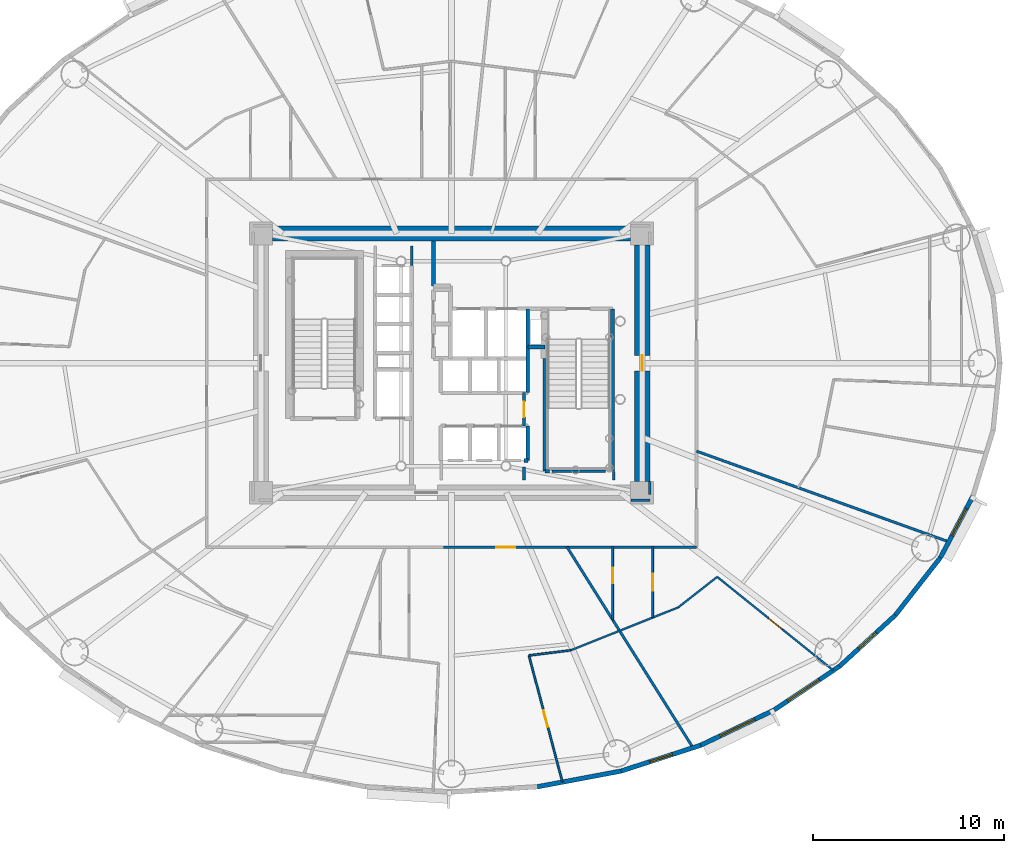
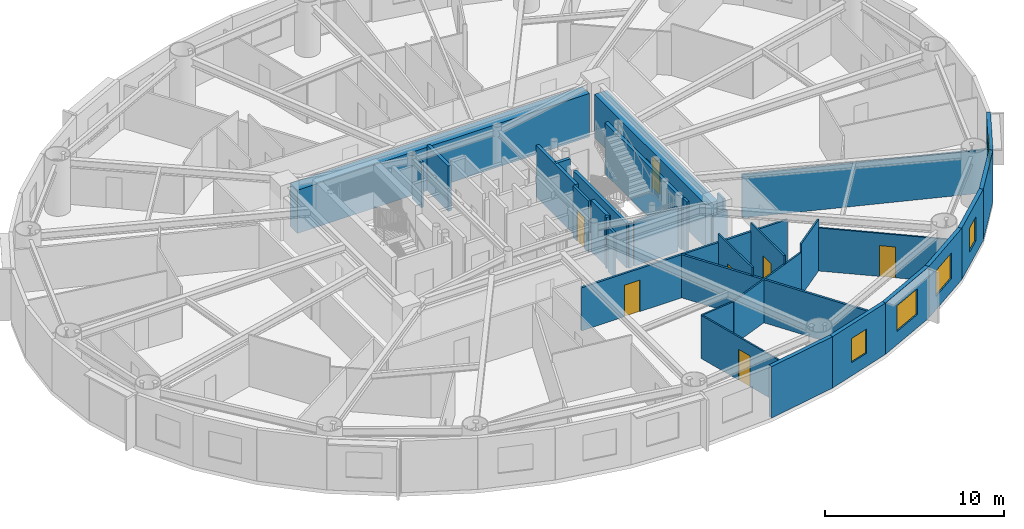
# One storey, part 10 of 18: 34 walls, 7 doors, 5 windows, 12 openings.
"""IFC4 building model written with IfcOpenShell, lengths in metres."""

from ifc_helpers import new_model, si_unit, direction, frame, frame_2d, origin, origin_2d, place, context, subcontext, project, spatial, rectangle, extrude, source, transform, mapped, material, layer, layer_set, type_object, element, fill, save


model = new_model("IFC4")

# Units and contexts
model_context = context("Model", 3, precision=1e-05, world=origin(), true_north=direction((0.0, 1.0)))
body_context = subcontext(model_context, "Body", "Model", "MODEL_VIEW")
ifc_project = project(units=[si_unit("LENGTHUNIT", "METRE"), si_unit("AREAUNIT", "SQUARE_METRE"), si_unit("VOLUMEUNIT", "CUBIC_METRE"), si_unit("PLANEANGLEUNIT", "RADIAN"), si_unit("MASSUNIT", "GRAM", prefix="KILO")], contexts=[model_context])

# Site, building, storey
site_placement = place(None, origin())
site = spatial("IfcSite", under=ifc_project, at=site_placement, CompositionType="ELEMENT")
building_placement = place(site_placement, origin())
building = spatial("IfcBuilding", under=site, at=building_placement, Name="Linh Dai School and Residence Tower", CompositionType="ELEMENT")
storey_placement = place(building_placement, frame((0.0, 0.0, 123.449951171875)))
storey = spatial("IfcBuildingStorey", under=building, at=storey_placement, Name="L29", CompositionType="ELEMENT", Elevation=123.449951171875)

# Wall
ifc_material_1 = material(Name="Precast Concrete B45 (C35/45)", Category="concrete")
ifc_layer_1 = layer(ifc_material_1, 0.239990234375)
ifc_layer_set_1 = layer_set([ifc_layer_1], Name="Precast Concrete B45 (C35/45)")
wall_type_1 = type_object("IfcWallType", Name="EW-TC-240", PredefinedType="SOLIDWALL", material=ifc_layer_set_1)
wall_1_placement = place(storey_placement, frame((44.899658203125, 5.5986328125, 0.0), z_axis=(0.0, 0.0, 1.0), x_axis=(-0.982789252177, -0.184730305596, 0.0)))
element("IfcWall", 1, at=wall_1_placement, inside=storey, type_object=wall_type_1, Name="L29 Terracotta Exterior Wall 32", PredefinedType="SOLIDWALL", context=body_context, shape_type="SweptSolid", body=[
    extrude(rectangle(XDim=4.470947265625, YDim=0.239990234375, at=frame_2d((2.2353515625, 0.0))), origin(), (0.0, 0.0, 1.0), 3.5),
])

# Wall, opening, window
wall_2_placement = place(storey_placement, frame((49.073974609375, 6.95263671875, 0.0), z_axis=(0.0, 0.0, 1.0), x_axis=(-0.951211346073, -0.308540070495, 0.0)))
wall_2 = element("IfcWall", 2, at=wall_2_placement, inside=storey, type_object=wall_type_1, Name="L29 Terracotta Exterior Wall 33", PredefinedType="SOLIDWALL", context=body_context, shape_type="SweptSolid", body=[
    extrude(rectangle(XDim=4.388427734375, YDim=0.239990234375, at=frame_2d((2.1943359375, 0.0))), origin(), (0.0, 0.0, 1.0), 3.5),
])
opening_1_placement = place(wall_2_placement, frame((1.569091796875, 0.0, 0.89990234375)))
opening_1 = element("IfcOpeningElement", 3, at=opening_1_placement, cuts=wall_2, Name="Opening W3", PredefinedType="OPENING", context=body_context, shape_type="SweptSolid", body=[
    extrude(rectangle(XDim=1.25, YDim=1.64990234375, at=origin_2d()), frame((0.625, 0.1298828125, 0.824951171875), z_axis=(0.0, -1.0, 0.0), x_axis=(1.0, 0.0, 0.0)), (0.0, 0.0, 1.0), 0.260009765625),
])
ifc_material_2 = material(Name="Double Low-E Insulated Glazing", Category="glass")
window_type_1 = type_object("IfcWindowType", Name="WN-RES-1250x1650", PartitioningType="SINGLE_PANEL", PredefinedType="WINDOW", material=ifc_material_2)
shared_shape_1 = source(origin(), body_context, "Body", "SweptSolid", [
    extrude(rectangle(XDim=1.25, YDim=1.64990234375, at=origin_2d()), frame((0.625, 0.030029296875, 0.824951171875), z_axis=(0.0, -1.0, 0.0), x_axis=(1.0, 0.0, 0.0)), (0.0, 0.0, 1.0), 0.06005859375),
])
window_1_placement = place(opening_1_placement, origin())
window_1 = element("IfcWindow", 4, at=window_1_placement, inside=storey, type_object=window_type_1, Name="L29 Dwelling Window U2905-BD2", OverallHeight=1.64990234375, OverallWidth=1.25, PartitioningType="SINGLE_PANEL", PredefinedType="WINDOW", context=body_context, shape_type="MappedRepresentation", body=[
    mapped(shared_shape_1, transform((0.0, 0.0, 0.0), x_axis=(1.0, 0.0, 0.0), y_axis=(0.0, 1.0, 0.0), z_axis=(0.0, 0.0, 1.0), scale=1.0)),
])
fill(opening_1, window_1)

wall_3_placement = place(storey_placement, frame((52.92529296875, 8.800537109375, 0.0), z_axis=(0.0, 0.0, 1.0), x_axis=(-0.901589935876, -0.432591709962, 0.0)))
wall_3 = element("IfcWall", 5, at=wall_3_placement, inside=storey, type_object=wall_type_1, Name="L29 Terracotta Exterior Wall 34", PredefinedType="SOLIDWALL", context=body_context, shape_type="SweptSolid", body=[
    extrude(rectangle(XDim=4.271728515625, YDim=0.239990234375, at=frame_2d((2.1357421875, 0.0))), origin(), (0.0, 0.0, 1.0), 3.5),
])
opening_2_placement = place(wall_3_placement, frame((1.135986328125, 0.0, 0.89990234375)))
opening_2 = element("IfcOpeningElement", 6, at=opening_2_placement, cuts=wall_3, Name="Opening W1", PredefinedType="OPENING", context=body_context, shape_type="SweptSolid", body=[
    extrude(rectangle(XDim=2.0, YDim=1.75, at=origin_2d()), frame((1.0, 0.1298828125, 0.875), z_axis=(0.0, -1.0, 0.0), x_axis=(1.0, 0.0, 0.0)), (0.0, 0.0, 1.0), 0.260009765625),
])
window_type_2 = type_object("IfcWindowType", Name="WN-RES-2000x1750", PartitioningType="DOUBLE_PANEL_VERTICAL", PredefinedType="WINDOW", material=ifc_material_2)
shared_shape_2 = source(origin(), body_context, "Body", "SweptSolid", [
    extrude(rectangle(XDim=2.0, YDim=1.75, at=origin_2d()), frame((1.0, 0.030029296875, 0.875), z_axis=(0.0, -1.0, 0.0), x_axis=(1.0, 0.0, 0.0)), (0.0, 0.0, 1.0), 0.06005859375),
])
window_2_placement = place(opening_2_placement, origin())
window_2 = element("IfcWindow", 7, at=window_2_placement, inside=storey, type_object=window_type_2, Name="L29 Exterior Window 34.1", OverallHeight=1.75, OverallWidth=2.0, PartitioningType="DOUBLE_PANEL_VERTICAL", PredefinedType="WINDOW", context=body_context, shape_type="MappedRepresentation", body=[
    mapped(shared_shape_2, transform((0.0, 0.0, 0.0), x_axis=(1.0, 0.0, 0.0), y_axis=(0.0, 1.0, 0.0), z_axis=(0.0, 0.0, 1.0), scale=1.0)),
])
fill(opening_2, window_2)

wall_4_placement = place(storey_placement, frame((56.3583984375, 11.0966796875, 0.0), z_axis=(0.0, 0.0, 1.0), x_axis=(-0.831221811447, -0.555940914284, 0.0)))
wall_4 = element("IfcWall", 8, at=wall_4_placement, inside=storey, type_object=wall_type_1, Name="L29 Terracotta Exterior Wall 35", PredefinedType="SOLIDWALL", context=body_context, shape_type="SweptSolid", body=[
    extrude(rectangle(XDim=4.130126953125, YDim=0.239990234375, at=frame_2d((2.06494140625, 0.0))), origin(), (0.0, 0.0, 1.0), 3.5),
])
opening_3_placement = place(wall_4_placement, frame((1.275634765625, 0.0, 0.89990234375)))
opening_3 = element("IfcOpeningElement", 9, at=opening_3_placement, cuts=wall_4, Name="Opening W1", PredefinedType="OPENING", context=body_context, shape_type="SweptSolid", body=[
    extrude(rectangle(XDim=2.0, YDim=1.75, at=origin_2d()), frame((1.0, 0.1298828125, 0.875), z_axis=(0.0, -1.0, 0.0), x_axis=(1.0, 0.0, 0.0)), (0.0, 0.0, 1.0), 0.260009765625),
])
window_3_placement = place(opening_3_placement, origin())
window_3 = element("IfcWindow", 10, at=window_3_placement, inside=storey, type_object=window_type_2, Name="L29 Exterior Window 35.1", OverallHeight=1.75, OverallWidth=2.0, PartitioningType="DOUBLE_PANEL_VERTICAL", PredefinedType="WINDOW", context=body_context, shape_type="MappedRepresentation", body=[
    mapped(shared_shape_2, transform((0.0, 0.0, 0.0), x_axis=(1.0, 0.0, 0.0), y_axis=(0.0, 1.0, 0.0), z_axis=(0.0, 0.0, 1.0), scale=1.0)),
])
fill(opening_3, window_3)

wall_5_placement = place(storey_placement, frame((59.2890625, 13.783447265625, 0.0), z_axis=(0.0, 0.0, 1.0), x_axis=(-0.737113356241, -0.675769117414, 0.0)))
wall_5 = element("IfcWall", 11, at=wall_5_placement, inside=storey, type_object=wall_type_1, Name="L29 Terracotta Exterior Wall 36", PredefinedType="SOLIDWALL", context=body_context, shape_type="SweptSolid", body=[
    extrude(rectangle(XDim=3.975830078125, YDim=0.239990234375, at=frame_2d((1.98779296875, 0.0))), origin(), (0.0, 0.0, 1.0), 3.5),
])
opening_4_placement = place(wall_5_placement, frame((1.363037109375, 0.0, 0.89990234375)))
opening_4 = element("IfcOpeningElement", 12, at=opening_4_placement, cuts=wall_5, Name="Opening W3", PredefinedType="OPENING", context=body_context, shape_type="SweptSolid", body=[
    extrude(rectangle(XDim=1.25, YDim=1.64990234375, at=origin_2d()), frame((0.625, 0.1298828125, 0.824951171875), z_axis=(0.0, -1.0, 0.0), x_axis=(1.0, 0.0, 0.0)), (0.0, 0.0, 1.0), 0.260009765625),
])
window_4_placement = place(opening_4_placement, origin())
window_4 = element("IfcWindow", 13, at=window_4_placement, inside=storey, type_object=window_type_1, Name="L29 Dwelling Window U2906-LIV", OverallHeight=1.64990234375, OverallWidth=1.25, PartitioningType="SINGLE_PANEL", PredefinedType="WINDOW", context=body_context, shape_type="MappedRepresentation", body=[
    mapped(shared_shape_1, transform((0.0, 0.0, 0.0), x_axis=(1.0, 0.0, 0.0), y_axis=(0.0, 1.0, 0.0), z_axis=(0.0, 0.0, 1.0), scale=1.0)),
])
fill(opening_4, window_4)

# Wall
wall_6_placement = place(storey_placement, frame((61.645263671875, 16.79443359375, 0.0), z_axis=(0.0, 0.0, 1.0), x_axis=(-0.616272103517, -0.787533297345, 0.0)))
element("IfcWall", 14, at=wall_6_placement, inside=storey, type_object=wall_type_1, Name="L29 Terracotta Exterior Wall 37", PredefinedType="SOLIDWALL", context=body_context, shape_type="SweptSolid", body=[
    extrude(rectangle(XDim=3.8232421875, YDim=0.239990234375, at=frame_2d((1.91162109375, 0.0))), origin(), (0.0, 0.0, 1.0), 3.5),
])

# Wall, opening, window
wall_7_placement = place(storey_placement, frame((63.3701171875, 20.054931640625, 0.0), z_axis=(0.0, 0.0, 1.0), x_axis=(-0.467614004126, -0.883932770716, 0.0)))
wall_7 = element("IfcWall", 15, at=wall_7_placement, inside=storey, type_object=wall_type_1, Name="L29 Terracotta Exterior Wall 38", PredefinedType="SOLIDWALL", context=body_context, shape_type="SweptSolid", body=[
    extrude(rectangle(XDim=3.688720703125, YDim=0.239990234375, at=frame_2d((1.84423828125, 0.0))), origin(), (0.0, 0.0, 1.0), 3.5),
])
opening_5_placement = place(wall_7_placement, frame((0.778076171875, 0.0, 0.89990234375)))
opening_5 = element("IfcOpeningElement", 16, at=opening_5_placement, cuts=wall_7, Name="Opening W2", PredefinedType="OPENING", context=body_context, shape_type="SweptSolid", body=[
    extrude(rectangle(XDim=1.60009765625, YDim=1.75, at=origin_2d()), frame((0.800048828125, 0.1298828125, 0.875), z_axis=(0.0, -1.0, 0.0), x_axis=(1.0, 0.0, 0.0)), (0.0, 0.0, 1.0), 0.260009765625),
])
window_type_3 = type_object("IfcWindowType", Name="WN-RES-1600x1750", PartitioningType="DOUBLE_PANEL_VERTICAL", PredefinedType="WINDOW", material=ifc_material_2)
shared_shape_3 = source(origin(), body_context, "Body", "SweptSolid", [
    extrude(rectangle(XDim=1.60009765625, YDim=1.75, at=origin_2d()), frame((0.800048828125, 0.030029296875, 0.875), z_axis=(0.0, -1.0, 0.0), x_axis=(1.0, 0.0, 0.0)), (0.0, 0.0, 1.0), 0.06005859375),
])
window_5_placement = place(opening_5_placement, origin())
window_5 = element("IfcWindow", 17, at=window_5_placement, inside=storey, type_object=window_type_3, Name="L29 Exterior Window 38.1", OverallHeight=1.75, OverallWidth=1.60009765625, PartitioningType="DOUBLE_PANEL_VERTICAL", PredefinedType="WINDOW", context=body_context, shape_type="MappedRepresentation", body=[
    mapped(shared_shape_3, transform((0.0, 0.0, 0.0), x_axis=(1.0, 0.0, 0.0), y_axis=(0.0, 1.0, 0.0), z_axis=(0.0, 0.0, 1.0), scale=1.0)),
])
fill(opening_5, window_5)

# Wall, opening, door
ifc_material_3 = material(Name="Autoclaved Aerated Concrete Blockwork", Category="masonry")
ifc_layer_2 = layer(ifc_material_3, 0.135009765625)
ifc_layer_set_2 = layer_set([ifc_layer_2], Name="Autoclaved Aerated Concrete Blockwork")
wall_type_2 = type_object("IfcWallType", Name="IW-CORR-135-EI90", PredefinedType="PARTITIONING", material=ifc_layer_set_2)
wall_8_placement = place(storey_placement, frame((35.583740234375, 17.35009765625, 0.0), z_axis=(0.0, 0.0, 1.0), x_axis=(1.0, 0.0, 0.0)))
wall_8 = element("IfcWall", 18, at=wall_8_placement, inside=storey, type_object=wall_type_2, Name="L29 Interior Partition Wall 052", PredefinedType="PARTITIONING", context=body_context, shape_type="SweptSolid", body=[
    extrude(rectangle(XDim=13.266357421875, YDim=0.135009765625, at=frame_2d((6.63330078125, 0.0))), origin(), (0.0, 0.0, 1.0), 2.93505859375),
])
opening_6_placement = place(wall_8_placement, frame((2.757080078125, 0.0, 0.0)))
opening_6 = element("IfcOpeningElement", 19, at=opening_6_placement, cuts=wall_8, Name="Opening D03", PredefinedType="OPENING", context=body_context, shape_type="SweptSolid", body=[
    extrude(rectangle(XDim=1.0, YDim=2.14990234375, at=origin_2d()), frame((0.5, 0.07763671875, 1.074951171875), z_axis=(0.0, -1.0, 0.0), x_axis=(1.0, 0.0, 0.0)), (0.0, 0.0, 1.0), 0.155029296875),
])
ifc_material_4 = material(Name="Fire-Rated Solid Timber Entrance Door", Category="wood")
door_type_1 = type_object("IfcDoorType", Name="DR-FLAT-1000x2150-FD60S", OperationType="NOTDEFINED", PredefinedType="DOOR", material=ifc_material_4)
shared_shape_4 = source(origin(), body_context, "Body", "SweptSolid", [
    extrude(rectangle(XDim=1.0, YDim=2.14990234375, at=origin_2d()), frame((0.5, 0.02490234375, 1.074951171875), z_axis=(0.0, -1.0, 0.0), x_axis=(1.0, 0.0, 0.0)), (0.0, 0.0, 1.0), 0.050048828125),
])
door_1_placement = place(opening_6_placement, origin())
door_1 = element("IfcDoor", 20, at=door_1_placement, inside=storey, type_object=door_type_1, Name="L29 U2905 Apartment Entrance Door", OperationType="SINGLE_SWING_LEFT", OverallHeight=2.14990234375, OverallWidth=1.0, PredefinedType="DOOR", context=body_context, shape_type="MappedRepresentation", body=[
    mapped(shared_shape_4, transform((0.0, 0.0, 0.0), x_axis=(1.0, 0.0, 0.0), y_axis=(0.0, 1.0, 0.0), z_axis=(0.0, 0.0, 1.0), scale=1.0)),
])
fill(opening_6, door_1)

wall_9_placement = place(storey_placement, frame((39.800048828125, 23.699951171875, 0.0), z_axis=(0.0, 0.0, 1.0), x_axis=(0.0, 1.0, 0.0)))
wall_9 = element("IfcWall", 21, at=wall_9_placement, inside=storey, type_object=wall_type_2, Name="L29 Interior Partition Wall 066", PredefinedType="PARTITIONING", context=body_context, shape_type="SweptSolid", body=[
    extrude(rectangle(XDim=1.75, YDim=0.135009765625, at=frame_2d((0.875, 0.0))), origin(), (0.0, 0.0, 1.0), 3.5),
])
opening_7_placement = place(wall_9_placement, frame((0.465087890625, 0.0, 0.0)))
opening_7 = element("IfcOpeningElement", 22, at=opening_7_placement, cuts=wall_9, Name="Opening D06", PredefinedType="OPENING", context=body_context, shape_type="SweptSolid", body=[
    extrude(rectangle(XDim=0.820068359375, YDim=2.10009765625, at=origin_2d()), frame((0.41015625, 0.07763671875, 1.050048828125), z_axis=(0.0, -1.0, 0.0), x_axis=(1.0, 0.0, 0.0)), (0.0, 0.0, 1.0), 0.155029296875),
])
ifc_material_5 = material(Name="Moisture-Resistant Timber Bathroom Door", Category="wood")
door_type_2 = type_object("IfcDoorType", Name="DR-WET-820x2100", OperationType="NOTDEFINED", PredefinedType="DOOR", material=ifc_material_5)
shared_shape_5 = source(origin(), body_context, "Body", "SweptSolid", [
    extrude(rectangle(XDim=0.820068359375, YDim=2.10009765625, at=origin_2d()), frame((0.41015625, 0.02490234375, 1.050048828125), z_axis=(0.0, -1.0, 0.0), x_axis=(1.0, 0.0, 0.0)), (0.0, 0.0, 1.0), 0.050048828125),
])
door_2_placement = place(opening_7_placement, origin())
door_2 = element("IfcDoor", 23, at=door_2_placement, inside=storey, type_object=door_type_2, Name="L29 Core Housekeeping Store Door", OperationType="SINGLE_SWING_LEFT", OverallHeight=2.10009765625, OverallWidth=0.820068359375, PredefinedType="DOOR", context=body_context, shape_type="MappedRepresentation", body=[
    mapped(shared_shape_5, transform((0.0, 0.0, 0.0), x_axis=(1.0, 0.0, 0.0), y_axis=(0.0, 1.0, 0.0), z_axis=(0.0, 0.0, 1.0), scale=1.0)),
])
fill(opening_7, door_2)

# Walls
wall_10_placement = place(storey_placement, frame((42.0576171875, 17.35009765625, 0.0), z_axis=(0.0, 0.0, 1.0), x_axis=(0.531660079213, -0.846957826678, 0.0)))
element("IfcWall", 24, at=wall_10_placement, inside=storey, type_object=wall_type_2, Name="L29 Interior Partition Wall 075", PredefinedType="PARTITIONING", context=body_context, shape_type="SweptSolid", body=[
    extrude(rectangle(XDim=12.43701171875, YDim=0.135009765625, at=frame_2d((6.218505859375, 0.0))), origin(), (0.0, 0.0, 1.0), 2.93505859375),
])
wall_11_placement = place(storey_placement, frame((48.85009765625, 22.382568359375, 0.0), z_axis=(0.0, 0.0, 1.0), x_axis=(0.941089213164, -0.338158384292, 0.0)))
element("IfcWall", 25, at=wall_11_placement, inside=storey, type_object=wall_type_2, Name="L29 Interior Partition Wall 087", PredefinedType="PARTITIONING", context=body_context, shape_type="SweptSolid", body=[
    extrude(rectangle(XDim=14.069091796875, YDim=0.135009765625, at=frame_2d((7.03466796875, 0.0))), origin(), (0.0, 0.0, 1.0), 2.93505859375),
])
wall_12_placement = place(storey_placement, frame((44.080078125, 21.330078125, 0.0), z_axis=(0.0, 0.0, 1.0), x_axis=(-1.0, 0.0, 0.0)))
element("IfcWall", 26, at=wall_12_placement, inside=storey, type_object=wall_type_2, Name="L29 Interior Partition Wall 098", PredefinedType="PARTITIONING", context=body_context, shape_type="SweptSolid", body=[
    extrude(rectangle(XDim=2.820068359375, YDim=0.135009765625, at=frame_2d((1.41015625, 0.0))), origin(), (0.0, 0.0, 1.0), 3.03515625),
])
wall_13_placement = place(storey_placement, frame((39.800048828125, 20.860107421875, 0.0), z_axis=(0.0, 0.0, 1.0), x_axis=(0.0, 1.0, 0.0)))
element("IfcWall", 27, at=wall_13_placement, inside=storey, type_object=wall_type_2, Name="L29 Interior Partition Wall 103", PredefinedType="PARTITIONING", context=body_context, shape_type="SweptSolid", body=[
    extrude(rectangle(XDim=0.679931640625, YDim=0.135009765625, at=frame_2d((0.33984375, 0.0))), origin(), (0.0, 0.0, 1.0), 3.03515625),
])
wall_14_placement = place(storey_placement, frame((44.5, 20.860107421875, 0.0), z_axis=(0.0, 0.0, 1.0), x_axis=(0.0, 1.0, 0.0)))
element("IfcWall", 28, at=wall_14_placement, inside=storey, type_object=wall_type_2, Name="L29 Interior Partition Wall 105", PredefinedType="PARTITIONING", context=body_context, shape_type="SweptSolid", body=[
    extrude(rectangle(XDim=0.4599609375, YDim=0.135009765625, at=frame_2d((0.22998046875, 0.0))), origin(), (0.0, 0.0, 1.0), 3.5),
])
wall_15_placement = place(storey_placement, frame((33.89990234375, 32.110107421875, 0.0), z_axis=(0.0, 0.0, 1.0), x_axis=(0.0, 1.0, 0.0)))
element("IfcWall", 29, at=wall_15_placement, inside=storey, type_object=wall_type_2, Name="L29 Interior Partition Wall 107", PredefinedType="PARTITIONING", context=body_context, shape_type="SweptSolid", body=[
    extrude(rectangle(XDim=1.02978515625, YDim=0.135009765625, at=frame_2d((0.514892578125, 0.0))), origin(), (0.0, 0.0, 1.0), 3.0849609375),
])
wall_16_placement = place(storey_placement, frame((45.409912109375, 19.800048828125, 0.0), z_axis=(0.0, 0.0, 1.0), x_axis=(1.0, 0.0, 0.0)))
element("IfcWall", 30, at=wall_16_placement, inside=storey, type_object=wall_type_2, Name="L29 Interior Partition Wall 115", PredefinedType="PARTITIONING", context=body_context, shape_type="SweptSolid", body=[
    extrude(rectangle(XDim=0.989990234375, YDim=0.135009765625, at=frame_2d((0.4951171875, 0.0))), origin(), (0.0, 0.0, 1.0), 2.93505859375),
])
wall_17_placement = place(storey_placement, frame((46.39990234375, 20.107421875, 0.0), z_axis=(0.0, 0.0, 1.0), x_axis=(0.0, 1.0, 0.0)))
element("IfcWall", 31, at=wall_17_placement, inside=storey, type_object=wall_type_2, Name="L29 Interior Partition Wall 116", PredefinedType="PARTITIONING", context=body_context, shape_type="SweptSolid", body=[
    extrude(rectangle(XDim=0.6826171875, YDim=0.135009765625, at=frame_2d((0.34130859375, 0.0))), origin(), (0.0, 0.0, 1.0), 3.5),
])
ifc_material_6 = material(Name="Concrete B45 (C35/45)", Category="concrete")
ifc_layer_3 = layer(ifc_material_6, 0.199951171875)
ifc_layer_set_3 = layer_set([ifc_layer_3], Name="Concrete B45 (C35/45)")
wall_type_3 = type_object("IfcWallType", Name="IW-SHAFT-200-EI120", PredefinedType="PARTITIONING", material=ifc_layer_set_3)
wall_18_placement = place(storey_placement, frame((35.050048828125, 31.050048828125, 0.0), z_axis=(0.0, 0.0, 1.0), x_axis=(0.0, 1.0, 0.0)))
element("IfcWall", 32, at=wall_18_placement, inside=storey, type_object=wall_type_3, Name="L29 Interior Partition Wall 046", PredefinedType="PARTITIONING", context=body_context, shape_type="SweptSolid", body=[
    extrude(rectangle(XDim=2.349853515625, YDim=0.199951171875, at=frame_2d((1.1748046875, 0.0))), origin(), (0.0, 0.0, 1.0), 3.0849609375),
])
wall_19_placement = place(storey_placement, frame((39.800048828125, 21.89990234375, 0.0), z_axis=(0.0, 0.0, 1.0), x_axis=(1.0, 0.0, 0.0)))
element("IfcWall", 33, at=wall_19_placement, inside=storey, type_object=wall_type_3, Name="L29 Interior Partition Wall 065", PredefinedType="PARTITIONING", context=body_context, shape_type="SweptSolid", body=[
    extrude(rectangle(XDim=0.199951171875, YDim=0.199951171875, at=frame_2d((0.10009765625, 0.0))), origin(), (0.0, 0.0, 1.0), 3.5),
])
wall_20_placement = place(storey_placement, frame((40.0, 21.89990234375, 0.0), z_axis=(0.0, 0.0, 1.0), x_axis=(0.0, 1.0, 0.0)))
element("IfcWall", 34, at=wall_20_placement, inside=storey, type_object=wall_type_3, Name="L29 Interior Partition Wall 067", PredefinedType="PARTITIONING", context=body_context, shape_type="SweptSolid", body=[
    extrude(rectangle(XDim=1.800048828125, YDim=0.199951171875, at=frame_2d((0.89990234375, 0.0))), origin(), (0.0, 0.0, 1.0), 3.5),
])
wall_21_placement = place(storey_placement, frame((40.0, 25.449951171875, 0.0), z_axis=(0.0, 0.0, 1.0), x_axis=(0.0, 1.0, 0.0)))
element("IfcWall", 35, at=wall_21_placement, inside=storey, type_object=wall_type_3, Name="L29 Interior Partition Wall 068", PredefinedType="PARTITIONING", context=body_context, shape_type="SweptSolid", body=[
    extrude(rectangle(XDim=4.400146484375, YDim=0.199951171875, at=frame_2d((2.2001953125, 0.0))), origin(), (0.0, 0.0, 1.0), 3.5),
])
wall_22_placement = place(storey_placement, frame((40.0, 27.85009765625, 0.0), z_axis=(0.0, 0.0, 1.0), x_axis=(1.0, 0.0, 0.0)))
element("IfcWall", 36, at=wall_22_placement, inside=storey, type_object=wall_type_3, Name="L29 Interior Partition Wall 069", PredefinedType="PARTITIONING", context=body_context, shape_type="SweptSolid", body=[
    extrude(rectangle(XDim=0.89990234375, YDim=0.199951171875, at=frame_2d((0.449951171875, 0.0))), origin(), (0.0, 0.0, 1.0), 3.5),
])
wall_23_placement = place(storey_placement, frame((40.89990234375, 21.330078125, 0.0), z_axis=(0.0, 0.0, 1.0), x_axis=(0.0, 1.0, 0.0)))
element("IfcWall", 37, at=wall_23_placement, inside=storey, type_object=wall_type_3, Name="L29 Interior Partition Wall 073", PredefinedType="PARTITIONING", context=body_context, shape_type="SweptSolid", body=[
    extrude(rectangle(XDim=5.909912109375, YDim=0.199951171875, at=frame_2d((2.955078125, 0.0))), origin(), (0.0, 0.0, 1.0), 3.03515625),
])
wall_24_placement = place(storey_placement, frame((40.89990234375, 21.330078125, 0.0), z_axis=(0.0, 0.0, 1.0), x_axis=(1.0, 0.0, 0.0)))
element("IfcWall", 38, at=wall_24_placement, inside=storey, type_object=wall_type_3, Name="L29 Interior Partition Wall 074", PredefinedType="PARTITIONING", context=body_context, shape_type="SweptSolid", body=[
    extrude(rectangle(XDim=0.25, YDim=0.199951171875, at=frame_2d((0.125, 0.0))), origin(), (0.0, 0.0, 1.0), 3.03515625),
])
wall_25_placement = place(storey_placement, frame((44.43994140625, 21.330078125, 0.0), z_axis=(0.0, 0.0, 1.0), x_axis=(0.0, 1.0, 0.0)))
element("IfcWall", 39, at=wall_25_placement, inside=storey, type_object=wall_type_3, Name="L29 Interior Partition Wall 079", PredefinedType="PARTITIONING", context=body_context, shape_type="SweptSolid", body=[
    extrude(rectangle(XDim=8.52001953125, YDim=0.199951171875, at=frame_2d((4.260009765625, 0.0))), origin(), (0.0, 0.0, 1.0), 3.5),
])

# Wall, opening, door
ifc_material_7 = material(Name="Gypsum Plasterboard Acoustic Stud Partition", Category="masonry")
ifc_layer_4 = layer(ifc_material_7, 0.10009765625)
ifc_layer_set_4 = layer_set([ifc_layer_4], Name="Gypsum Plasterboard Acoustic Stud Partition")
wall_type_4 = type_object("IfcWallType", Name="IW-UNIT-100", PredefinedType="PARTITIONING", material=ifc_layer_set_4)
wall_26_placement = place(storey_placement, frame((40.05908203125, 11.662353515625, 0.0), z_axis=(0.0, 0.0, 1.0), x_axis=(0.255861334688, -0.966713492929, 0.0)))
wall_26 = element("IfcWall", 40, at=wall_26_placement, inside=storey, type_object=wall_type_4, Name="L29 Interior Partition Wall 070", PredefinedType="PARTITIONING", context=body_context, shape_type="SweptSolid", body=[
    extrude(rectangle(XDim=6.876953125, YDim=0.10009765625, at=frame_2d((3.4384765625, 0.0))), origin(), (0.0, 0.0, 1.0), 2.93505859375),
])
opening_8_placement = place(wall_26_placement, frame((2.98828125, 0.0, 0.0)))
opening_8 = element("IfcOpeningElement", 41, at=opening_8_placement, cuts=wall_26, Name="Opening D05", PredefinedType="OPENING", context=body_context, shape_type="SweptSolid", body=[
    extrude(rectangle(XDim=0.89990234375, YDim=2.10009765625, at=origin_2d()), frame((0.449951171875, 0.06005859375, 1.050048828125), z_axis=(0.0, -1.0, 0.0), x_axis=(1.0, 0.0, 0.0)), (0.0, 0.0, 1.0), 0.1201171875),
])
ifc_material_8 = material(Name="Engineered Timber Internal Door", Category="wood")
door_type_3 = type_object("IfcDoorType", Name="DR-INT-900x2100", OperationType="NOTDEFINED", PredefinedType="DOOR", material=ifc_material_8)
shared_shape_6 = source(origin(), body_context, "Body", "SweptSolid", [
    extrude(rectangle(XDim=0.89990234375, YDim=2.10009765625, at=origin_2d()), frame((0.449951171875, 0.02490234375, 1.050048828125), z_axis=(0.0, -1.0, 0.0), x_axis=(1.0, 0.0, 0.0)), (0.0, 0.0, 1.0), 0.050048828125),
])
door_3_placement = place(opening_8_placement, origin())
door_3 = element("IfcDoor", 42, at=door_3_placement, inside=storey, type_object=door_type_3, Name="L29 Apartment U2905 Principal Bedroom 2 Door", OperationType="SINGLE_SWING_LEFT", OverallHeight=2.10009765625, OverallWidth=0.89990234375, PredefinedType="DOOR", context=body_context, shape_type="MappedRepresentation", body=[
    mapped(shared_shape_6, transform((0.0, 0.0, 0.0), x_axis=(1.0, 0.0, 0.0), y_axis=(0.0, 1.0, 0.0), z_axis=(0.0, 0.0, 1.0), scale=1.0)),
])
fill(opening_8, door_3)

# Walls
wall_27_placement = place(storey_placement, frame((40.05908203125, 11.662353515625, 0.0), z_axis=(0.0, 0.0, 1.0), x_axis=(0.992393057675, 0.12310978466, 0.0)))
element("IfcWall", 43, at=wall_27_placement, inside=storey, type_object=wall_type_4, Name="L29 Interior Partition Wall 071", PredefinedType="PARTITIONING", context=body_context, shape_type="SweptSolid", body=[
    extrude(rectangle(XDim=2.209228515625, YDim=0.10009765625, at=frame_2d((1.1044921875, 0.0))), origin(), (0.0, 0.0, 1.0), 2.93505859375),
])
wall_28_placement = place(storey_placement, frame((42.25146484375, 11.934326171875, 0.0), z_axis=(0.0, 0.0, 1.0), x_axis=(0.928803554156, 0.370572473055, 0.0)))
element("IfcWall", 44, at=wall_28_placement, inside=storey, type_object=wall_type_4, Name="L29 Interior Partition Wall 076", PredefinedType="PARTITIONING", context=body_context, shape_type="SweptSolid", body=[
    extrude(rectangle(XDim=6.07177734375, YDim=0.10009765625, at=frame_2d((3.035888671875, 0.0))), origin(), (0.0, 0.0, 1.0), 2.93505859375),
])

# Wall, opening, door
wall_29_placement = place(storey_placement, frame((44.44677734375, 13.5439453125, 0.0), z_axis=(0.0, 0.0, 1.0), x_axis=(0.0, 1.0, 0.0)))
wall_29 = element("IfcWall", 45, at=wall_29_placement, inside=storey, type_object=wall_type_4, Name="L29 Interior Partition Wall 080", PredefinedType="PARTITIONING", context=body_context, shape_type="SweptSolid", body=[
    extrude(rectangle(XDim=3.80615234375, YDim=0.10009765625, at=frame_2d((1.903076171875, 0.0))), origin(), (0.0, 0.0, 1.0), 3.5),
])
opening_9_placement = place(wall_29_placement, frame((1.90478515625, 0.0, 0.0)))
opening_9 = element("IfcOpeningElement", 46, at=opening_9_placement, cuts=wall_29, Name="Opening D06", PredefinedType="OPENING", context=body_context, shape_type="SweptSolid", body=[
    extrude(rectangle(XDim=0.820068359375, YDim=2.10009765625, at=origin_2d()), frame((0.41015625, 0.06005859375, 1.050048828125), z_axis=(0.0, -1.0, 0.0), x_axis=(1.0, 0.0, 0.0)), (0.0, 0.0, 1.0), 0.1201171875),
])
door_4_placement = place(opening_9_placement, origin())
door_4 = element("IfcDoor", 47, at=door_4_placement, inside=storey, type_object=door_type_2, Name="L29 Apartment U2906 Bathroom 1 Door", OperationType="SINGLE_SWING_LEFT", OverallHeight=2.10009765625, OverallWidth=0.820068359375, PredefinedType="DOOR", context=body_context, shape_type="MappedRepresentation", body=[
    mapped(shared_shape_5, transform((0.0, 0.0, 0.0), x_axis=(1.0, 0.0, 0.0), y_axis=(0.0, 1.0, 0.0), z_axis=(0.0, 0.0, 1.0), scale=1.0)),
])
fill(opening_9, door_4)

wall_30_placement = place(storey_placement, frame((46.54931640625, 13.649169921875, 0.0), z_axis=(0.0, 0.0, 1.0), x_axis=(0.0, 1.0, 0.0)))
wall_30 = element("IfcWall", 48, at=wall_30_placement, inside=storey, type_object=wall_type_4, Name="L29 Interior Partition Wall 081", PredefinedType="PARTITIONING", context=body_context, shape_type="SweptSolid", body=[
    extrude(rectangle(XDim=3.700927734375, YDim=0.10009765625, at=frame_2d((1.8505859375, 0.0))), origin(), (0.0, 0.0, 1.0), 3.5),
])
opening_10_placement = place(wall_30_placement, frame((1.400390625, 0.0, 0.0)))
opening_10 = element("IfcOpeningElement", 49, at=opening_10_placement, cuts=wall_30, Name="Opening D05", PredefinedType="OPENING", context=body_context, shape_type="SweptSolid", body=[
    extrude(rectangle(XDim=0.89990234375, YDim=2.10009765625, at=origin_2d()), frame((0.449951171875, 0.06005859375, 1.050048828125), z_axis=(0.0, -1.0, 0.0), x_axis=(1.0, 0.0, 0.0)), (0.0, 0.0, 1.0), 0.1201171875),
])
door_5_placement = place(opening_10_placement, origin())
door_5 = element("IfcDoor", 50, at=door_5_placement, inside=storey, type_object=door_type_3, Name="L29 Apartment U2906 Kitchen Door", OperationType="SINGLE_SWING_RIGHT", OverallHeight=2.10009765625, OverallWidth=0.89990234375, PredefinedType="DOOR", context=body_context, shape_type="MappedRepresentation", body=[
    mapped(shared_shape_6, transform((0.0, 0.0, 0.0), x_axis=(1.0, 0.0, 0.0), y_axis=(0.0, 1.0, 0.0), z_axis=(0.0, 0.0, 1.0), scale=1.0)),
])
fill(opening_10, door_5)

# Wall
wall_31_placement = place(storey_placement, frame((47.890869140625, 14.184326171875, 0.0), z_axis=(0.0, 0.0, 1.0), x_axis=(0.787364158956, 0.616488184146, 0.0)))
element("IfcWall", 51, at=wall_31_placement, inside=storey, type_object=wall_type_4, Name="L29 Interior Partition Wall 084", PredefinedType="PARTITIONING", context=body_context, shape_type="SweptSolid", body=[
    extrude(rectangle(XDim=2.597412109375, YDim=0.10009765625, at=frame_2d((1.298828125, 0.0))), origin(), (0.0, 0.0, 1.0), 3.5),
])

# Wall, opening, door
wall_32_placement = place(storey_placement, frame((49.93603515625, 15.78564453125, 0.0), z_axis=(0.0, 0.0, 1.0), x_axis=(0.779083359145, -0.626920345421, 0.0)))
wall_32 = element("IfcWall", 52, at=wall_32_placement, inside=storey, type_object=wall_type_4, Name="L29 Interior Partition Wall 089", PredefinedType="PARTITIONING", context=body_context, shape_type="SweptSolid", body=[
    extrude(rectangle(XDim=7.831298828125, YDim=0.10009765625, at=frame_2d((3.91552734375, 0.0))), origin(), (0.0, 0.0, 1.0), 2.93505859375),
])
opening_11_placement = place(wall_32_placement, frame((3.4658203125, 0.0, 0.0)))
opening_11 = element("IfcOpeningElement", 53, at=opening_11_placement, cuts=wall_32, Name="Opening D05", PredefinedType="OPENING", context=body_context, shape_type="SweptSolid", body=[
    extrude(rectangle(XDim=0.89990234375, YDim=2.10009765625, at=origin_2d()), frame((0.449951171875, 0.06005859375, 1.050048828125), z_axis=(0.0, -1.0, 0.0), x_axis=(1.0, 0.0, 0.0)), (0.0, 0.0, 1.0), 0.1201171875),
])
door_6_placement = place(opening_11_placement, origin())
door_6 = element("IfcDoor", 54, at=door_6_placement, inside=storey, type_object=door_type_3, Name="L29 Apartment U2906 Principal Bedroom 1 Door", OperationType="SINGLE_SWING_LEFT", OverallHeight=2.10009765625, OverallWidth=0.89990234375, PredefinedType="DOOR", context=body_context, shape_type="MappedRepresentation", body=[
    mapped(shared_shape_6, transform((0.0, 0.0, 0.0), x_axis=(1.0, 0.0, 0.0), y_axis=(0.0, 1.0, 0.0), z_axis=(0.0, 0.0, 1.0), scale=1.0)),
])
fill(opening_11, door_6)

# Wall
ifc_material_9 = material(Name="Concrete B60 (C50/60)", Category="concrete")
ifc_layer_5 = layer(ifc_material_9, 0.800048828125)
ifc_layer_set_5 = layer_set([ifc_layer_5], Name="Concrete B60 (C50/60)")
wall_type_5 = type_object("IfcWallType", Name="WL-CORE800", PredefinedType="SHEAR", material=ifc_layer_set_5)
wall_33_placement = place(storey_placement, frame((26.60009765625, 33.800048828125, 0.0), z_axis=(0.0, 0.0, 1.0), x_axis=(1.0, 0.0, 0.0)))
element("IfcWall", 55, at=wall_33_placement, inside=storey, type_object=wall_type_5, Name="L29 Central Core Shear Wall N", PredefinedType="SHEAR", context=body_context, shape_type="SweptSolid", body=[
    extrude(rectangle(XDim=18.7998046875, YDim=0.800048828125, at=frame_2d((9.39990234375, 0.0))), origin(), (0.0, 0.0, 1.0), 2.949951171875),
])

# Wall, opening, door
wall_34_placement = place(storey_placement, frame((46.0, 33.199951171875, 0.0), z_axis=(0.0, 0.0, 1.0), x_axis=(0.0, -1.0, 0.0)))
wall_34 = element("IfcWall", 56, at=wall_34_placement, inside=storey, type_object=wall_type_5, Name="L29 Central Core Shear Wall E", PredefinedType="SHEAR", context=body_context, shape_type="SweptSolid", body=[
    extrude(rectangle(XDim=12.39990234375, YDim=0.800048828125, at=frame_2d((6.199951171875, 0.0))), origin(), (0.0, 0.0, 1.0), 2.949951171875),
])
opening_12_placement = place(wall_34_placement, frame((5.7900390625, 0.0, 0.0)))
opening_12 = element("IfcOpeningElement", 57, at=opening_12_placement, cuts=wall_34, Name="Opening D06", PredefinedType="OPENING", context=body_context, shape_type="SweptSolid", body=[
    extrude(rectangle(XDim=0.820068359375, YDim=2.10009765625, at=origin_2d()), frame((0.41015625, 0.41015625, 1.050048828125), z_axis=(0.0, -1.0, 0.0), x_axis=(1.0, 0.0, 0.0)), (0.0, 0.0, 1.0), 0.820068359375),
])
door_7_placement = place(opening_12_placement, origin())
door_7 = element("IfcDoor", 58, at=door_7_placement, inside=storey, type_object=door_type_2, Name="L29 Firefighting Lobby Door", OperationType="SINGLE_SWING_LEFT", OverallHeight=2.10009765625, OverallWidth=0.820068359375, PredefinedType="DOOR", context=body_context, shape_type="MappedRepresentation", body=[
    mapped(shared_shape_5, transform((0.0, 0.0, 0.0), x_axis=(1.0, 0.0, 0.0), y_axis=(0.0, 1.0, 0.0), z_axis=(0.0, 0.0, 1.0), scale=1.0)),
])
fill(opening_12, door_7)

save(model, "model.ifc")
